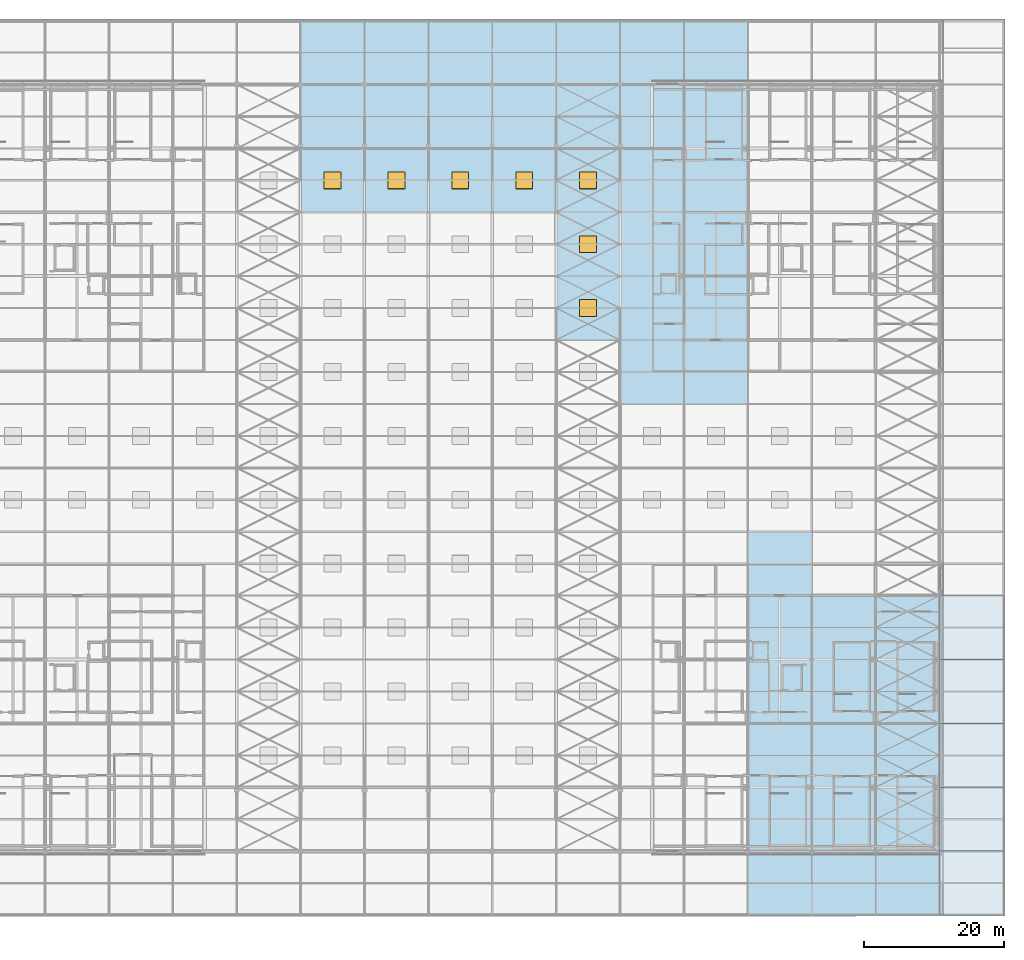
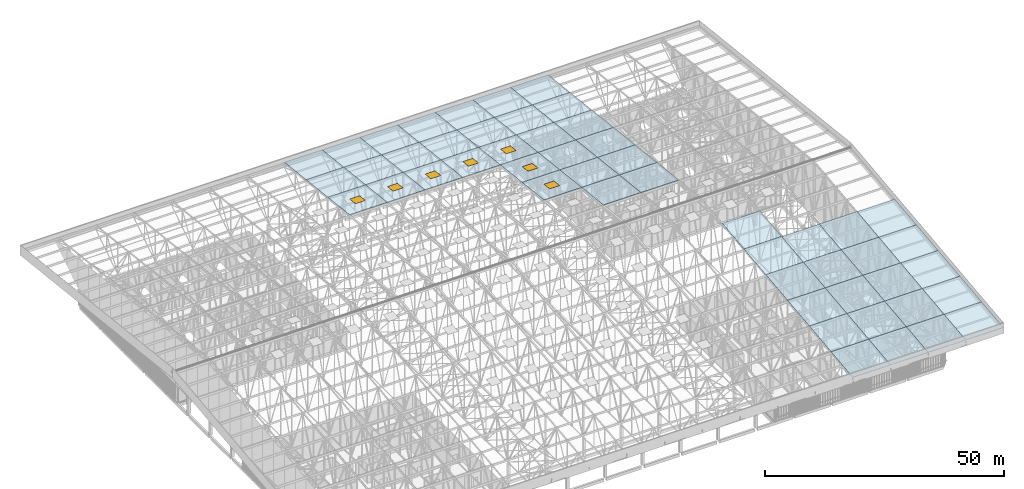
# One storey, part 422 of 500: 50 slabs, 7 windows, 7 openings.
"""IFC4 building model written with IfcOpenShell, lengths in metres."""

import ifcopenshell
import ifcopenshell.guid

model = None  # the IFC model being written
_history = None  # IfcOwnerHistory: only IFC2X3 demands one
_inside = {}  # id of a spatial element -> (the spatial element, [elements in it])
_under = {}  # id of a project, library or spatial element -> (it, [spatial elements below it])
_declared = {}  # id of a project -> (the project, [libraries it declares])
_typed = {}  # id of a type object -> (the type object, [elements of that type])
_made_of = {}  # id of a material, layer set ... -> (it, [elements and type objects made of it])


def new_model(schema):
    """Start an empty IFC model of exactly this schema.

    Asked for "IFC4X3", IfcOpenShell would pick the latest addendum, in which some entities
    have other attributes; the version numbers below select the first issue.
    IFC2X3 requires an IfcOwnerHistory on every rooted entity: one is made here for all.
    """
    global model, _history
    if schema == "IFC4X3":
        model = ifcopenshell.file(schema_version=(4, 3, 0, 0))
    else:
        model = ifcopenshell.file(schema=schema)
    _inside.clear()
    _under.clear()
    _declared.clear()
    _typed.clear()
    _made_of.clear()
    _history = None
    if model.schema == "IFC2X3":
        org = make("IfcOrganization", Name="unknown")
        user = make(
            "IfcPersonAndOrganization",
            ThePerson=make("IfcPerson", FamilyName="unknown"),
            TheOrganization=org,
        )
        app = make(
            "IfcApplication",
            ApplicationDeveloper=org,
            Version="unknown",
            ApplicationFullName="unknown",
            ApplicationIdentifier="unknown",
        )
        _history = make(
            "IfcOwnerHistory",
            OwningUser=user,
            OwningApplication=app,
            ChangeAction="ADDED",
            CreationDate=0,
        )
    return model


def make(cls, **values):
    """One entity of the class cls with the attributes given. An attribute that is None is left unset."""
    return model.create_entity(
        cls, **{name: value for name, value in values.items() if value is not None}
    )


def rooted(cls, **values):
    """An entity with a GlobalId (a new one), such as an element, a storey or a relation."""
    return make(cls, GlobalId=ifcopenshell.guid.new(), OwnerHistory=_history, **values)


def si_unit(unit_type, name, prefix=None):
    """IfcSIUnit, for example si_unit("LENGTHUNIT", "METRE", prefix="MILLI")."""
    return make("IfcSIUnit", UnitType=unit_type, Prefix=prefix, Name=name)


def assignment(units):
    """IfcUnitAssignment: the units of a project."""
    return None if units is None else make("IfcUnitAssignment", Units=units)


def point(xyz):
    """IfcCartesianPoint."""
    return None if xyz is None else make("IfcCartesianPoint", Coordinates=xyz)


def direction(xyz):
    """IfcDirection."""
    return None if xyz is None else make("IfcDirection", DirectionRatios=xyz)


def frame(location, z_axis=None, x_axis=None):
    """IfcAxis2Placement3D, a coordinate frame: its origin and axes. An axis left out is left unset."""
    return make(
        "IfcAxis2Placement3D",
        Location=point(location),
        Axis=direction(z_axis),
        RefDirection=direction(x_axis),
    )


def frame_2d(location, x_axis=None):
    """IfcAxis2Placement2D, a coordinate frame in the plane: its origin and x axis."""
    return make(
        "IfcAxis2Placement2D", Location=point(location), RefDirection=direction(x_axis)
    )


def origin():
    """The frame at (0, 0, 0) with its axes left unset."""
    return frame((0.0, 0.0, 0.0))


def origin_2d():
    """The frame at (0, 0) in the plane with its x axis left unset."""
    return frame_2d((0.0, 0.0))


def place(relative_to, where):
    """IfcLocalPlacement: puts the frame where relative to a parent placement (None: the world)."""
    return make(
        "IfcLocalPlacement", PlacementRelTo=relative_to, RelativePlacement=where
    )


def context(
    kind, dimensions, precision=None, world=None, true_north=None, identifier=None
):
    """IfcGeometricRepresentationContext, for example the 3D "Model" context."""
    return make(
        "IfcGeometricRepresentationContext",
        ContextIdentifier=identifier,
        ContextType=kind,
        CoordinateSpaceDimension=dimensions,
        Precision=precision,
        WorldCoordinateSystem=world,
        TrueNorth=true_north,
    )


def subcontext(parent, identifier, kind, view, scale=None):
    """IfcGeometricRepresentationSubContext, for example "Body" below "Model"."""
    return make(
        "IfcGeometricRepresentationSubContext",
        ContextIdentifier=identifier,
        ContextType=kind,
        ParentContext=parent,
        TargetScale=scale,
        TargetView=view,
    )


def project(units=None, contexts=None):
    """IfcProject with its units and contexts."""
    return rooted(
        "IfcProject",
        Name="project",
        RepresentationContexts=contexts,
        UnitsInContext=assignment(units),
    )


def spatial(cls, under=None, at=None, **own):
    """A site, building, storey or space (cls), placed at a placement, below another one or the project."""
    s = rooted(cls, ObjectPlacement=at, **own)
    if under is not None:
        _under.setdefault(under.id(), (under, []))[1].append(s)
    return s


def polyline(points):
    """IfcPolyline through the points."""
    return make("IfcPolyline", Points=[point(p) for p in points])


def profile(cls, at=None, kind="AREA", **sizes):
    """A parametric profile (cls). Its sizes go by their IFC names, for example OverallWidth=200.0."""
    return make(cls, ProfileType=kind, Position=at, **sizes)


def rectangle(**sizes):
    """IfcRectangleProfileDef."""
    return profile("IfcRectangleProfileDef", **sizes)


def outline(outer, holes=None, kind="AREA"):
    """IfcArbitraryClosedProfileDef: a profile drawn as a closed curve; with holes, ...WithVoids."""
    if holes is None:
        return make("IfcArbitraryClosedProfileDef", ProfileType=kind, OuterCurve=outer)
    return make(
        "IfcArbitraryProfileDefWithVoids",
        ProfileType=kind,
        OuterCurve=outer,
        InnerCurves=holes,
    )


def extrude(swept, where, along, depth):
    """IfcExtrudedAreaSolid: the profile swept, set in the frame where, extruded along a direction by depth."""
    return make(
        "IfcExtrudedAreaSolid",
        SweptArea=swept,
        Position=where,
        ExtrudedDirection=direction(along),
        Depth=depth,
    )


def shape(context_of_items, identifier, shape_type, items):
    """IfcShapeRepresentation: the items that make up one representation, for example the "Body"."""
    return make(
        "IfcShapeRepresentation",
        ContextOfItems=context_of_items,
        RepresentationIdentifier=identifier,
        RepresentationType=shape_type,
        Items=items,
    )


def material(Name=None, Category=None):
    """IfcMaterial."""
    return make("IfcMaterial", Name=Name, Category=Category)


def layer(
    of_material, thickness, ventilated=None, Name=None, Category=None, Priority=None
):
    """IfcMaterialLayer: one layer of a wall or slab, of a material (None: an air gap)."""
    return make(
        "IfcMaterialLayer",
        Material=of_material,
        LayerThickness=thickness,
        IsVentilated=ventilated,
        Name=Name,
        Category=Category,
        Priority=Priority,
    )


def layer_set(layers, Name=None):
    """IfcMaterialLayerSet."""
    return make("IfcMaterialLayerSet", MaterialLayers=layers, LayerSetName=Name)


def made_of(thing, what):
    """Note that an element or type object is made of a material, layer set ...; save() writes the relation."""
    if what is not None:
        _made_of.setdefault(what.id(), (what, []))[1].append(thing)
    return thing


def type_object(cls, material=None, **own):
    """A type object (cls), such as IfcWallType, which elements share."""
    return made_of(rooted(cls, **own), material)


def element(
    cls,
    number,
    at=None,
    inside=None,
    cuts=None,
    type_object=None,
    material=None,
    context=None,
    identifier="Body",
    shape_type=None,
    held_by="IfcProductDefinitionShape",
    body=None,
    shapes=None,
    **own,
):
    """One element of the class cls, such as IfcWall. Its Tag is "e" and its number.

    at: its placement. inside: the storey or other place that contains it. cuts: it is an
    opening in that element (IfcRelVoidsElement). A single representation is given by context,
    identifier, shape_type and body (its items); several are given by shapes. held_by: the class
    of the entity that holds the representations. save() writes the other relations.
    """
    e = rooted(cls, Tag="e%d" % number, ObjectPlacement=at, **own)
    if body is not None:
        shapes = [shape(context, identifier, shape_type, body)]
    if shapes is not None:
        e.Representation = make(held_by, Representations=shapes)
    if inside is not None:
        _inside.setdefault(inside.id(), (inside, []))[1].append(e)
    if cuts is not None:
        rooted(
            "IfcRelVoidsElement", RelatingBuildingElement=cuts, RelatedOpeningElement=e
        )
    if type_object is not None:
        _typed.setdefault(type_object.id(), (type_object, []))[1].append(e)
    return made_of(e, material)


def fill(opening, filler):
    """IfcRelFillsElement: the door or window that sits in an opening."""
    return rooted(
        "IfcRelFillsElement",
        RelatingOpeningElement=opening,
        RelatedBuildingElement=filler,
    )


def aggregate(whole, parts):
    """IfcRelAggregates: a whole, such as a stair, and the parts it consists of."""
    return rooted("IfcRelAggregates", RelatingObject=whole, RelatedObjects=parts)


def save(model, path):
    """Write the relations noted so far, then the file.

    IfcRelAggregates (storeys below a building ...), IfcRelContainedInSpatialStructure (elements
    in a storey), IfcRelDefinesByType, IfcRelAssociatesMaterial and IfcRelDeclares: one each for
    every whole, place, type object, material and project.
    """
    for whole, parts in _under.values():
        aggregate(whole, parts)
    for where, things in _inside.values():
        rooted(
            "IfcRelContainedInSpatialStructure",
            RelatedElements=things,
            RelatingStructure=where,
        )
    for kind, things in _typed.values():
        rooted("IfcRelDefinesByType", RelatedObjects=things, RelatingType=kind)
    for what, things in _made_of.values():
        rooted("IfcRelAssociatesMaterial", RelatedObjects=things, RelatingMaterial=what)
    for by, libraries in _declared.values():
        rooted("IfcRelDeclares", RelatingContext=by, RelatedDefinitions=libraries)
    model.write(path)


model = new_model("IFC4")

# Units and contexts
model_context = context("Model", 3, precision=1e-05, world=origin(), true_north=direction((0.0, 1.0)))
body_context = subcontext(model_context, "Body", "Model", "MODEL_VIEW")
ifc_project = project(units=[si_unit("LENGTHUNIT", "METRE"), si_unit("AREAUNIT", "SQUARE_METRE"), si_unit("VOLUMEUNIT", "CUBIC_METRE"), si_unit("PLANEANGLEUNIT", "RADIAN"), si_unit("MASSUNIT", "GRAM", prefix="KILO")], contexts=[model_context])

# Site, building, storey
site_placement = place(None, origin())
site = spatial("IfcSite", under=ifc_project, at=site_placement, CompositionType="ELEMENT")
building_placement = place(site_placement, origin())
building = spatial("IfcBuilding", under=site, at=building_placement, Name="Shirokan Park Arena", CompositionType="ELEMENT")
storey_placement = place(building_placement, frame((0.0, 0.0, 29.1201171875)))
storey = spatial("IfcBuildingStorey", under=building, at=storey_placement, Name="L06", CompositionType="ELEMENT", Elevation=29.1201171875)

# Slab, opening, window
ifc_material_1 = material(Name="Concrete C30 precast", Category="concrete")
ifc_layer = layer(ifc_material_1, 0.1201171875)
ifc_layer_set = layer_set([ifc_layer], Name="Concrete C30 precast 120 mm")
slab_type = type_object("IfcSlabType", Name="Roof deck panel 120", PredefinedType="ROOF", material=ifc_layer_set)
slab_1_placement = place(storey_placement, frame((54.60009765625, 91.0, 14.95068359375), z_axis=(0.0, 0.113549598152, 0.993532328996), x_axis=(1.0, 0.0, 0.0)))
slab_1 = element("IfcSlab", 1, at=slab_1_placement, inside=storey, type_object=slab_type, Name="Roof deck panel 8-12", PredefinedType="ROOF", context=body_context, shape_type="SweptSolid", body=[
    extrude(outline(polyline([(0.0, 0.0), (9.099853515625, 0.0), (9.099853515625, 9.15933723611117), (0.0, 9.15933723611117), (0.0, 0.0)]), holes=[polyline([(3.349853515625, 3.371898532319491), (5.75, 3.371898532319491), (5.75, 5.787438703791679), (3.349853515625, 5.787438703791679), (3.349853515625, 3.371898532319491)])]), origin(), (0.0, 0.0, -1.0), 0.1201171875),
])
opening_1_placement = place(slab_1_placement, frame((4.5498046875, 4.57958984375, 0.010009765625)))
opening_1 = element("IfcOpeningElement", 2, at=opening_1_placement, cuts=slab_1, Name="Opening RL1", PredefinedType="OPENING", context=body_context, shape_type="SweptSolid", body=[
    extrude(rectangle(XDim=2.39990234375, YDim=2.4155251658253154, at=origin_2d()), origin(), (0.0, 0.0, -1.0), 0.139892578125),
])
ifc_material_2 = material(Name="Aluminium frame with laminated glass", Category="aluminium")
window_type = type_object("IfcWindowType", Name="Roof light 2400x2400", PartitioningType="SINGLE_PANEL", PredefinedType="SKYLIGHT", material=ifc_material_2)
window_1_placement = place(opening_1_placement, frame((0.0, 0.0, -0.06005859375)))
window_1 = element("IfcWindow", 3, at=window_1_placement, inside=storey, type_object=window_type, Name="Roof light 08-12", OverallHeight=2.4155251658253154, OverallWidth=2.39990234375, PartitioningType="SINGLE_PANEL", PredefinedType="SKYLIGHT", context=body_context, shape_type="SweptSolid", body=[
    extrude(rectangle(XDim=2.39990234375, YDim=2.4155251658253154, at=origin_2d()), origin(), (0.0, 0.0, 1.0), 0.050048828125),
])
fill(opening_1, window_1)

# Slabs
slab_2_placement = place(storey_placement, frame((54.60009765625, 100.10009765625, 13.91064453125), z_axis=(0.0, 0.113552605302, 0.993531985308), x_axis=(1.0, 0.0, 0.0)))
element("IfcSlab", 4, at=slab_2_placement, inside=storey, type_object=slab_type, Name="Roof deck panel 8-13", PredefinedType="ROOF", context=body_context, shape_type="SweptSolid", body=[
    extrude(outline(polyline([(0.0, 0.0), (9.099853515625, 0.0), (9.099853515625, 9.159094674549365), (0.0, 9.159094674549365), (0.0, 0.0)])), origin(), (0.0, 0.0, -1.0), 0.1201171875),
])
slab_3_placement = place(storey_placement, frame((54.60009765625, 109.199951171875, 12.87060546875), z_axis=(0.0, 0.113549598152, 0.993532328996), x_axis=(1.0, 0.0, 0.0)))
element("IfcSlab", 5, at=slab_3_placement, inside=storey, type_object=slab_type, Name="Roof deck panel 8-14", PredefinedType="ROOF", context=body_context, shape_type="SweptSolid", body=[
    extrude(outline(polyline([(0.0, 0.0), (9.099853515625, 0.0), (9.099853515625, 9.15933723611117), (0.0, 9.15933723611117), (0.0, 0.0)])), origin(), (0.0, 0.0, -1.0), 0.1201171875),
])

# Slab, opening, window
slab_4_placement = place(storey_placement, frame((63.699951171875, 91.0, 14.95068359375), z_axis=(0.0, 0.113549598152, 0.993532328996), x_axis=(1.0, 0.0, 0.0)))
slab_4 = element("IfcSlab", 6, at=slab_4_placement, inside=storey, type_object=slab_type, Name="Roof deck panel 9-12", PredefinedType="ROOF", context=body_context, shape_type="SweptSolid", body=[
    extrude(outline(polyline([(0.0, 0.0), (9.10009765625, 0.0), (9.10009765625, 9.15933723611117), (0.0, 9.15933723611117), (0.0, 0.0)]), holes=[polyline([(3.35009765625, 3.3718985323194914), (5.75, 3.3718985323194914), (5.75, 5.78743870379168), (3.35009765625, 5.78743870379168), (3.35009765625, 3.3718985323194914)])]), origin(), (0.0, 0.0, -1.0), 0.1201171875),
])
opening_2_placement = place(slab_4_placement, frame((4.550048828125, 4.57958984375, 0.010009765625)))
opening_2 = element("IfcOpeningElement", 7, at=opening_2_placement, cuts=slab_4, Name="Opening RL1", PredefinedType="OPENING", context=body_context, shape_type="SweptSolid", body=[
    extrude(rectangle(XDim=2.39990234375, YDim=2.4155251658253154, at=origin_2d()), origin(), (0.0, 0.0, -1.0), 0.139892578125),
])
window_2_placement = place(opening_2_placement, frame((0.0, 0.0, -0.06005859375)))
window_2 = element("IfcWindow", 8, at=window_2_placement, inside=storey, type_object=window_type, Name="Roof light 09-12", OverallHeight=2.4155251658253154, OverallWidth=2.39990234375, PartitioningType="SINGLE_PANEL", PredefinedType="SKYLIGHT", context=body_context, shape_type="SweptSolid", body=[
    extrude(rectangle(XDim=2.39990234375, YDim=2.4155251658253154, at=origin_2d()), origin(), (0.0, 0.0, 1.0), 0.050048828125),
])
fill(opening_2, window_2)

# Slabs
slab_5_placement = place(storey_placement, frame((63.699951171875, 100.10009765625, 13.91064453125), z_axis=(0.0, 0.113552605302, 0.993531985308), x_axis=(1.0, 0.0, 0.0)))
element("IfcSlab", 9, at=slab_5_placement, inside=storey, type_object=slab_type, Name="Roof deck panel 9-13", PredefinedType="ROOF", context=body_context, shape_type="SweptSolid", body=[
    extrude(outline(polyline([(0.0, 0.0), (9.10009765625, 0.0), (9.10009765625, 9.159094674549367), (0.0, 9.159094674549367), (0.0, 0.0)])), origin(), (0.0, 0.0, -1.0), 0.1201171875),
])
slab_6_placement = place(storey_placement, frame((63.699951171875, 109.199951171875, 12.87060546875), z_axis=(0.0, 0.113549598152, 0.993532328996), x_axis=(1.0, 0.0, 0.0)))
element("IfcSlab", 10, at=slab_6_placement, inside=storey, type_object=slab_type, Name="Roof deck panel 9-14", PredefinedType="ROOF", context=body_context, shape_type="SweptSolid", body=[
    extrude(outline(polyline([(0.0, 0.0), (9.10009765625, 0.0), (9.10009765625, 9.15933723611117), (0.0, 9.15933723611117), (0.0, 0.0)])), origin(), (0.0, 0.0, -1.0), 0.1201171875),
])

# Slab, opening, window
slab_7_placement = place(storey_placement, frame((72.800048828125, 91.0, 14.95068359375), z_axis=(0.0, 0.113549598152, 0.993532328996), x_axis=(1.0, 0.0, 0.0)))
slab_7 = element("IfcSlab", 11, at=slab_7_placement, inside=storey, type_object=slab_type, Name="Roof deck panel 10-12", PredefinedType="ROOF", context=body_context, shape_type="SweptSolid", body=[
    extrude(outline(polyline([(0.0, 0.0), (9.099853515625, 0.0), (9.099853515625, 9.15933723611117), (0.0, 9.15933723611117), (0.0, 0.0)]), holes=[polyline([(3.349853515625, 3.371898532319491), (5.75, 3.371898532319491), (5.75, 5.787438703791679), (3.349853515625, 5.787438703791679), (3.349853515625, 3.371898532319491)])]), origin(), (0.0, 0.0, -1.0), 0.1201171875),
])
opening_3_placement = place(slab_7_placement, frame((4.550048828125, 4.57958984375, 0.010009765625)))
opening_3 = element("IfcOpeningElement", 12, at=opening_3_placement, cuts=slab_7, Name="Opening RL1", PredefinedType="OPENING", context=body_context, shape_type="SweptSolid", body=[
    extrude(rectangle(XDim=2.39990234375, YDim=2.4155251658253154, at=origin_2d()), origin(), (0.0, 0.0, -1.0), 0.139892578125),
])
window_3_placement = place(opening_3_placement, frame((0.0, 0.0, -0.06005859375)))
window_3 = element("IfcWindow", 13, at=window_3_placement, inside=storey, type_object=window_type, Name="Roof light 10-12", OverallHeight=2.4155251658253154, OverallWidth=2.39990234375, PartitioningType="SINGLE_PANEL", PredefinedType="SKYLIGHT", context=body_context, shape_type="SweptSolid", body=[
    extrude(rectangle(XDim=2.39990234375, YDim=2.4155251658253154, at=origin_2d()), origin(), (0.0, 0.0, 1.0), 0.050048828125),
])
fill(opening_3, window_3)

# Slabs
slab_8_placement = place(storey_placement, frame((72.800048828125, 100.10009765625, 13.91064453125), z_axis=(0.0, 0.113552605302, 0.993531985308), x_axis=(1.0, 0.0, 0.0)))
element("IfcSlab", 14, at=slab_8_placement, inside=storey, type_object=slab_type, Name="Roof deck panel 10-13", PredefinedType="ROOF", context=body_context, shape_type="SweptSolid", body=[
    extrude(outline(polyline([(0.0, 0.0), (9.099853515625, 0.0), (9.099853515625, 9.159094674549365), (0.0, 9.159094674549365), (0.0, 0.0)])), origin(), (0.0, 0.0, -1.0), 0.1201171875),
])
slab_9_placement = place(storey_placement, frame((72.800048828125, 109.199951171875, 12.87060546875), z_axis=(0.0, 0.113549598152, 0.993532328996), x_axis=(1.0, 0.0, 0.0)))
element("IfcSlab", 15, at=slab_9_placement, inside=storey, type_object=slab_type, Name="Roof deck panel 10-14", PredefinedType="ROOF", context=body_context, shape_type="SweptSolid", body=[
    extrude(outline(polyline([(0.0, 0.0), (9.099853515625, 0.0), (9.099853515625, 9.15933723611117), (0.0, 9.15933723611117), (0.0, 0.0)])), origin(), (0.0, 0.0, -1.0), 0.1201171875),
])

# Slab, opening, window
slab_10_placement = place(storey_placement, frame((81.89990234375, 91.0, 14.95068359375), z_axis=(0.0, 0.113549598152, 0.993532328996), x_axis=(1.0, 0.0, 0.0)))
slab_10 = element("IfcSlab", 16, at=slab_10_placement, inside=storey, type_object=slab_type, Name="Roof deck panel 11-12", PredefinedType="ROOF", context=body_context, shape_type="SweptSolid", body=[
    extrude(outline(polyline([(0.0, 0.0), (9.10009765625, 0.0), (9.10009765625, 9.15933723611117), (0.0, 9.15933723611117), (0.0, 0.0)]), holes=[polyline([(3.35009765625, 3.3718985323194914), (5.75, 3.3718985323194914), (5.75, 5.78743870379168), (3.35009765625, 5.78743870379168), (3.35009765625, 3.3718985323194914)])]), origin(), (0.0, 0.0, -1.0), 0.1201171875),
])
opening_4_placement = place(slab_10_placement, frame((4.550048828125, 4.57958984375, 0.010009765625)))
opening_4 = element("IfcOpeningElement", 17, at=opening_4_placement, cuts=slab_10, Name="Opening RL1", PredefinedType="OPENING", context=body_context, shape_type="SweptSolid", body=[
    extrude(rectangle(XDim=2.39990234375, YDim=2.4155251658253154, at=origin_2d()), origin(), (0.0, 0.0, -1.0), 0.139892578125),
])
window_4_placement = place(opening_4_placement, frame((0.0, 0.0, -0.06005859375)))
window_4 = element("IfcWindow", 18, at=window_4_placement, inside=storey, type_object=window_type, Name="Roof light 11-12", OverallHeight=2.4155251658253154, OverallWidth=2.39990234375, PartitioningType="SINGLE_PANEL", PredefinedType="SKYLIGHT", context=body_context, shape_type="SweptSolid", body=[
    extrude(rectangle(XDim=2.39990234375, YDim=2.4155251658253154, at=origin_2d()), origin(), (0.0, 0.0, 1.0), 0.050048828125),
])
fill(opening_4, window_4)

# Slabs
slab_11_placement = place(storey_placement, frame((81.89990234375, 100.10009765625, 13.91064453125), z_axis=(0.0, 0.113552605302, 0.993531985308), x_axis=(1.0, 0.0, 0.0)))
element("IfcSlab", 19, at=slab_11_placement, inside=storey, type_object=slab_type, Name="Roof deck panel 11-13", PredefinedType="ROOF", context=body_context, shape_type="SweptSolid", body=[
    extrude(outline(polyline([(0.0, 0.0), (9.10009765625, 0.0), (9.10009765625, 9.159094674549367), (0.0, 9.159094674549367), (0.0, 0.0)])), origin(), (0.0, 0.0, -1.0), 0.1201171875),
])
slab_12_placement = place(storey_placement, frame((81.89990234375, 109.199951171875, 12.87060546875), z_axis=(0.0, 0.113549598152, 0.993532328996), x_axis=(1.0, 0.0, 0.0)))
element("IfcSlab", 20, at=slab_12_placement, inside=storey, type_object=slab_type, Name="Roof deck panel 11-14", PredefinedType="ROOF", context=body_context, shape_type="SweptSolid", body=[
    extrude(outline(polyline([(0.0, 0.0), (9.10009765625, 0.0), (9.10009765625, 9.15933723611117), (0.0, 9.15933723611117), (0.0, 0.0)])), origin(), (0.0, 0.0, -1.0), 0.1201171875),
])

# Slab, opening, window
slab_13_placement = place(storey_placement, frame((91.0, 72.800048828125, 17.03076171875), z_axis=(0.0, 0.113552605302, 0.993531985308), x_axis=(1.0, 0.0, 0.0)))
slab_13 = element("IfcSlab", 21, at=slab_13_placement, inside=storey, type_object=slab_type, Name="Roof deck panel 12-10", PredefinedType="ROOF", context=body_context, shape_type="SweptSolid", body=[
    extrude(outline(polyline([(0.0, 0.0), (9.10009765625, 0.0), (9.10009765625, 9.159094674549367), (0.0, 9.159094674549367), (0.0, 0.0)]), holes=[polyline([(3.35009765625, 3.3716836933895262), (5.75, 3.3716836933895262), (5.75, 5.787438703963868), (3.35009765625, 5.787438703963868), (3.35009765625, 3.3716836933895262)])]), origin(), (0.0, 0.0, -1.0), 0.1201171875),
])
opening_5_placement = place(slab_13_placement, frame((4.550048828125, 4.57958984375, 0.010009765625)))
opening_5 = element("IfcOpeningElement", 22, at=opening_5_placement, cuts=slab_13, Name="Opening RL1", PredefinedType="OPENING", context=body_context, shape_type="SweptSolid", body=[
    extrude(rectangle(XDim=2.39990234375, YDim=2.4155260014171187, at=origin_2d()), origin(), (0.0, 0.0, -1.0), 0.139892578125),
])
window_5_placement = place(opening_5_placement, frame((0.0, 0.0, -0.06005859375)))
window_5 = element("IfcWindow", 23, at=window_5_placement, inside=storey, type_object=window_type, Name="Roof light 12-10", OverallHeight=2.4155260014171187, OverallWidth=2.39990234375, PartitioningType="SINGLE_PANEL", PredefinedType="SKYLIGHT", context=body_context, shape_type="SweptSolid", body=[
    extrude(rectangle(XDim=2.39990234375, YDim=2.4155260014171187, at=origin_2d()), origin(), (0.0, 0.0, 1.0), 0.050048828125),
])
fill(opening_5, window_5)

slab_14_placement = place(storey_placement, frame((91.0, 81.89990234375, 15.99072265625), z_axis=(0.0, 0.113549598152, 0.993532328996), x_axis=(1.0, 0.0, 0.0)))
slab_14 = element("IfcSlab", 24, at=slab_14_placement, inside=storey, type_object=slab_type, Name="Roof deck panel 12-11", PredefinedType="ROOF", context=body_context, shape_type="SweptSolid", body=[
    extrude(outline(polyline([(0.0, 0.0), (9.10009765625, 0.0), (9.10009765625, 9.15933723611117), (0.0, 9.15933723611117), (0.0, 0.0)]), holes=[polyline([(3.35009765625, 3.3718985323194914), (5.75, 3.3718985323194914), (5.75, 5.78743870379168), (3.35009765625, 5.78743870379168), (3.35009765625, 3.3718985323194914)])]), origin(), (0.0, 0.0, -1.0), 0.1201171875),
])
opening_6_placement = place(slab_14_placement, frame((4.550048828125, 4.57958984375, 0.010009765625)))
opening_6 = element("IfcOpeningElement", 25, at=opening_6_placement, cuts=slab_14, Name="Opening RL1", PredefinedType="OPENING", context=body_context, shape_type="SweptSolid", body=[
    extrude(rectangle(XDim=2.39990234375, YDim=2.4155251658253154, at=origin_2d()), origin(), (0.0, 0.0, -1.0), 0.139892578125),
])
window_6_placement = place(opening_6_placement, frame((0.0, 0.0, -0.06005859375)))
window_6 = element("IfcWindow", 26, at=window_6_placement, inside=storey, type_object=window_type, Name="Roof light 12-11", OverallHeight=2.4155251658253154, OverallWidth=2.39990234375, PartitioningType="SINGLE_PANEL", PredefinedType="SKYLIGHT", context=body_context, shape_type="SweptSolid", body=[
    extrude(rectangle(XDim=2.39990234375, YDim=2.4155251658253154, at=origin_2d()), origin(), (0.0, 0.0, 1.0), 0.050048828125),
])
fill(opening_6, window_6)

slab_15_placement = place(storey_placement, frame((91.0, 91.0, 14.95068359375), z_axis=(0.0, 0.113549598152, 0.993532328996), x_axis=(1.0, 0.0, 0.0)))
slab_15 = element("IfcSlab", 27, at=slab_15_placement, inside=storey, type_object=slab_type, Name="Roof deck panel 12-12", PredefinedType="ROOF", context=body_context, shape_type="SweptSolid", body=[
    extrude(outline(polyline([(0.0, 0.0), (9.10009765625, 0.0), (9.10009765625, 9.15933723611117), (0.0, 9.15933723611117), (0.0, 0.0)]), holes=[polyline([(3.35009765625, 3.3718985323194914), (5.75, 3.3718985323194914), (5.75, 5.78743870379168), (3.35009765625, 5.78743870379168), (3.35009765625, 3.3718985323194914)])]), origin(), (0.0, 0.0, -1.0), 0.1201171875),
])
opening_7_placement = place(slab_15_placement, frame((4.550048828125, 4.57958984375, 0.010009765625)))
opening_7 = element("IfcOpeningElement", 28, at=opening_7_placement, cuts=slab_15, Name="Opening RL1", PredefinedType="OPENING", context=body_context, shape_type="SweptSolid", body=[
    extrude(rectangle(XDim=2.39990234375, YDim=2.4155251658253154, at=origin_2d()), origin(), (0.0, 0.0, -1.0), 0.139892578125),
])
window_7_placement = place(opening_7_placement, frame((0.0, 0.0, -0.06005859375)))
window_7 = element("IfcWindow", 29, at=window_7_placement, inside=storey, type_object=window_type, Name="Roof light 12-12", OverallHeight=2.4155251658253154, OverallWidth=2.39990234375, PartitioningType="SINGLE_PANEL", PredefinedType="SKYLIGHT", context=body_context, shape_type="SweptSolid", body=[
    extrude(rectangle(XDim=2.39990234375, YDim=2.4155251658253154, at=origin_2d()), origin(), (0.0, 0.0, 1.0), 0.050048828125),
])
fill(opening_7, window_7)

# Slabs
slab_16_placement = place(storey_placement, frame((91.0, 100.10009765625, 13.91064453125), z_axis=(0.0, 0.113552605302, 0.993531985308), x_axis=(1.0, 0.0, 0.0)))
element("IfcSlab", 30, at=slab_16_placement, inside=storey, type_object=slab_type, Name="Roof deck panel 12-13", PredefinedType="ROOF", context=body_context, shape_type="SweptSolid", body=[
    extrude(outline(polyline([(0.0, 0.0), (9.10009765625, 0.0), (9.10009765625, 9.159094674549367), (0.0, 9.159094674549367), (0.0, 0.0)])), origin(), (0.0, 0.0, -1.0), 0.1201171875),
])
slab_17_placement = place(storey_placement, frame((91.0, 109.199951171875, 12.87060546875), z_axis=(0.0, 0.113549598152, 0.993532328996), x_axis=(1.0, 0.0, 0.0)))
element("IfcSlab", 31, at=slab_17_placement, inside=storey, type_object=slab_type, Name="Roof deck panel 12-14", PredefinedType="ROOF", context=body_context, shape_type="SweptSolid", body=[
    extrude(outline(polyline([(0.0, 0.0), (9.10009765625, 0.0), (9.10009765625, 9.15933723611117), (0.0, 9.15933723611117), (0.0, 0.0)])), origin(), (0.0, 0.0, -1.0), 0.1201171875),
])
slab_18_placement = place(storey_placement, frame((100.10009765625, 63.699951171875, 18.070556640625), z_axis=(0.0, 0.113523286872, 0.993535335727), x_axis=(1.0, 0.0, 0.0)))
element("IfcSlab", 32, at=slab_18_placement, inside=storey, type_object=slab_type, Name="Roof deck panel 13-9", PredefinedType="ROOF", context=body_context, shape_type="SweptSolid", body=[
    extrude(outline(polyline([(0.0, 0.0), (9.099853515625, 0.0), (9.099853515625, 9.159309517253131), (0.0, 9.159309517253131), (0.0, 0.0)])), origin(), (0.0, 0.0, -1.0), 0.1201171875),
])
slab_19_placement = place(storey_placement, frame((100.10009765625, 72.800048828125, 17.03076171875), z_axis=(0.0, 0.113552605302, 0.993531985308), x_axis=(1.0, 0.0, 0.0)))
element("IfcSlab", 33, at=slab_19_placement, inside=storey, type_object=slab_type, Name="Roof deck panel 13-10", PredefinedType="ROOF", context=body_context, shape_type="SweptSolid", body=[
    extrude(outline(polyline([(0.0, 0.0), (9.099853515625, 0.0), (9.099853515625, 9.159094674549365), (0.0, 9.159094674549365), (0.0, 0.0)])), origin(), (0.0, 0.0, -1.0), 0.1201171875),
])
for number, where, z_axis, x_axis, name in (
    (34, (100.10009765625, 81.89990234375, 15.99072265625), (0.0, 0.113549598152, 0.993532328996), (1.0, 0.0, 0.0), "Roof deck panel 13-11"),
    (35, (100.10009765625, 91.0, 14.95068359375), (0.0, 0.113549598152, 0.993532328996), (1.0, 0.0, 0.0), "Roof deck panel 13-12"),
):
    element("IfcSlab", number, at=place(storey_placement, frame(where, z_axis=z_axis, x_axis=x_axis)), inside=storey, type_object=slab_type, Name=name, PredefinedType="ROOF", context=body_context, shape_type="SweptSolid", body=[
        extrude(outline(polyline([(0.0, 0.0), (9.099853515625, 0.0), (9.099853515625, 9.15933723611117), (0.0, 9.15933723611117), (0.0, 0.0)])), origin(), (0.0, 0.0, -1.0), 0.1201171875),
    ])
slab_20_placement = place(storey_placement, frame((100.10009765625, 100.10009765625, 13.91064453125), z_axis=(0.0, 0.113552605302, 0.993531985308), x_axis=(1.0, 0.0, 0.0)))
element("IfcSlab", 36, at=slab_20_placement, inside=storey, type_object=slab_type, Name="Roof deck panel 13-13", PredefinedType="ROOF", context=body_context, shape_type="SweptSolid", body=[
    extrude(outline(polyline([(0.0, 0.0), (9.099853515625, 0.0), (9.099853515625, 9.159094674549365), (0.0, 9.159094674549365), (0.0, 0.0)])), origin(), (0.0, 0.0, -1.0), 0.1201171875),
])
slab_21_placement = place(storey_placement, frame((100.10009765625, 109.199951171875, 12.87060546875), z_axis=(0.0, 0.113549598152, 0.993532328996), x_axis=(1.0, 0.0, 0.0)))
element("IfcSlab", 37, at=slab_21_placement, inside=storey, type_object=slab_type, Name="Roof deck panel 13-14", PredefinedType="ROOF", context=body_context, shape_type="SweptSolid", body=[
    extrude(outline(polyline([(0.0, 0.0), (9.099853515625, 0.0), (9.099853515625, 9.15933723611117), (0.0, 9.15933723611117), (0.0, 0.0)])), origin(), (0.0, 0.0, -1.0), 0.1201171875),
])
slab_22_placement = place(storey_placement, frame((109.199951171875, 63.699951171875, 18.070556640625), z_axis=(0.0, 0.113523286872, 0.993535335727), x_axis=(1.0, 0.0, 0.0)))
element("IfcSlab", 38, at=slab_22_placement, inside=storey, type_object=slab_type, Name="Roof deck panel 14-9", PredefinedType="ROOF", context=body_context, shape_type="SweptSolid", body=[
    extrude(outline(polyline([(0.0, 0.0), (9.10009765625, 0.0), (9.10009765625, 9.159309517253131), (0.0, 9.159309517253131), (0.0, 0.0)])), origin(), (0.0, 0.0, -1.0), 0.1201171875),
])
slab_23_placement = place(storey_placement, frame((109.199951171875, 72.800048828125, 17.03076171875), z_axis=(0.0, 0.113552605302, 0.993531985308), x_axis=(1.0, 0.0, 0.0)))
element("IfcSlab", 39, at=slab_23_placement, inside=storey, type_object=slab_type, Name="Roof deck panel 14-10", PredefinedType="ROOF", context=body_context, shape_type="SweptSolid", body=[
    extrude(outline(polyline([(0.0, 0.0), (9.10009765625, 0.0), (9.10009765625, 9.159094674549367), (0.0, 9.159094674549367), (0.0, 0.0)])), origin(), (0.0, 0.0, -1.0), 0.1201171875),
])
for number, where, z_axis, x_axis, name in (
    (40, (109.199951171875, 81.89990234375, 15.99072265625), (0.0, 0.113549598152, 0.993532328996), (1.0, 0.0, 0.0), "Roof deck panel 14-11"),
    (41, (109.199951171875, 91.0, 14.95068359375), (0.0, 0.113549598152, 0.993532328996), (1.0, 0.0, 0.0), "Roof deck panel 14-12"),
):
    element("IfcSlab", number, at=place(storey_placement, frame(where, z_axis=z_axis, x_axis=x_axis)), inside=storey, type_object=slab_type, Name=name, PredefinedType="ROOF", context=body_context, shape_type="SweptSolid", body=[
        extrude(outline(polyline([(0.0, 0.0), (9.10009765625, 0.0), (9.10009765625, 9.15933723611117), (0.0, 9.15933723611117), (0.0, 0.0)])), origin(), (0.0, 0.0, -1.0), 0.1201171875),
    ])
slab_24_placement = place(storey_placement, frame((109.199951171875, 100.10009765625, 13.91064453125), z_axis=(0.0, 0.113552605302, 0.993531985308), x_axis=(1.0, 0.0, 0.0)))
element("IfcSlab", 42, at=slab_24_placement, inside=storey, type_object=slab_type, Name="Roof deck panel 14-13", PredefinedType="ROOF", context=body_context, shape_type="SweptSolid", body=[
    extrude(outline(polyline([(0.0, 0.0), (9.10009765625, 0.0), (9.10009765625, 9.159094674549367), (0.0, 9.159094674549367), (0.0, 0.0)])), origin(), (0.0, 0.0, -1.0), 0.1201171875),
])
slab_25_placement = place(storey_placement, frame((109.199951171875, 109.199951171875, 12.87060546875), z_axis=(0.0, 0.113549598152, 0.993532328996), x_axis=(1.0, 0.0, 0.0)))
element("IfcSlab", 43, at=slab_25_placement, inside=storey, type_object=slab_type, Name="Roof deck panel 14-14", PredefinedType="ROOF", context=body_context, shape_type="SweptSolid", body=[
    extrude(outline(polyline([(0.0, 0.0), (9.10009765625, 0.0), (9.10009765625, 9.15933723611117), (0.0, 9.15933723611117), (0.0, 0.0)])), origin(), (0.0, 0.0, -1.0), 0.1201171875),
])
for number, where, z_axis, x_axis, name in (
    (44, (118.300048828125, -9.10009765625, 11.83056640625), (0.0, -0.113549598152, 0.993532328996), (1.0, 0.0, 0.0), "Roof deck panel 15-1"),
    (45, (118.300048828125, 0.0, 12.87060546875), (0.0, -0.113549598152, 0.993532328996), (1.0, 0.0, 0.0), "Roof deck panel 15-2"),
):
    element("IfcSlab", number, at=place(storey_placement, frame(where, z_axis=z_axis, x_axis=x_axis)), inside=storey, type_object=slab_type, Name=name, PredefinedType="ROOF", context=body_context, shape_type="SweptSolid", body=[
        extrude(outline(polyline([(0.0, 0.0), (9.099853515625, 0.0), (9.099853515625, 9.15933723611117), (0.0, 9.15933723611117), (0.0, 0.0)])), origin(), (0.0, 0.0, -1.0), 0.1201171875),
    ])
slab_26_placement = place(storey_placement, frame((118.300048828125, 9.10009765625, 13.91064453125), z_axis=(0.0, -0.113552605302, 0.993531985308), x_axis=(1.0, 0.0, 0.0)))
element("IfcSlab", 46, at=slab_26_placement, inside=storey, type_object=slab_type, Name="Roof deck panel 15-3", PredefinedType="ROOF", context=body_context, shape_type="SweptSolid", body=[
    extrude(outline(polyline([(0.0, 0.0), (9.099853515625, 0.0), (9.099853515625, 9.159094674549365), (0.0, 9.159094674549365), (0.0, 0.0)])), origin(), (0.0, 0.0, -1.0), 0.1201171875),
])
slab_27_placement = place(storey_placement, frame((118.300048828125, 18.199951171875, 14.95068359375), z_axis=(0.0, -0.113549598152, 0.993532328996), x_axis=(1.0, 0.0, 0.0)))
element("IfcSlab", 47, at=slab_27_placement, inside=storey, type_object=slab_type, Name="Roof deck panel 15-4", PredefinedType="ROOF", context=body_context, shape_type="SweptSolid", body=[
    extrude(outline(polyline([(0.0, 0.0), (9.099853515625, 0.0), (9.099853515625, 9.15933723611117), (0.0, 9.15933723611117), (0.0, 0.0)])), origin(), (0.0, 0.0, -1.0), 0.1201171875),
])
slab_28_placement = place(storey_placement, frame((118.300048828125, 27.300048828125, 15.99072265625), z_axis=(0.0, -0.113552605302, 0.993531985308), x_axis=(1.0, 0.0, 0.0)))
element("IfcSlab", 48, at=slab_28_placement, inside=storey, type_object=slab_type, Name="Roof deck panel 15-5", PredefinedType="ROOF", context=body_context, shape_type="SweptSolid", body=[
    extrude(outline(polyline([(0.0, 0.0), (9.099853515625, 0.0), (9.099853515625, 9.159094674549365), (0.0, 9.159094674549365), (0.0, 0.0)])), origin(), (0.0, 0.0, -1.0), 0.1201171875),
])
slab_29_placement = place(storey_placement, frame((118.300048828125, 36.39990234375, 17.03076171875), z_axis=(0.0, -0.113523286872, 0.993535335727), x_axis=(1.0, 0.0, 0.0)))
element("IfcSlab", 49, at=slab_29_placement, inside=storey, type_object=slab_type, Name="Roof deck panel 15-6", PredefinedType="ROOF", context=body_context, shape_type="SweptSolid", body=[
    extrude(outline(polyline([(0.0, 0.0), (9.099853515625, 0.0), (9.099853515625, 9.159309517253131), (0.0, 9.159309517253131), (0.0, 0.0)])), origin(), (0.0, 0.0, -1.0), 0.1201171875),
])
for number, where, z_axis, x_axis, name in (
    (50, (127.39990234375, -9.10009765625, 11.83056640625), (0.0, -0.113549598152, 0.993532328996), (1.0, 0.0, 0.0), "Roof deck panel 16-1"),
    (51, (127.39990234375, 0.0, 12.87060546875), (0.0, -0.113549598152, 0.993532328996), (1.0, 0.0, 0.0), "Roof deck panel 16-2"),
):
    element("IfcSlab", number, at=place(storey_placement, frame(where, z_axis=z_axis, x_axis=x_axis)), inside=storey, type_object=slab_type, Name=name, PredefinedType="ROOF", context=body_context, shape_type="SweptSolid", body=[
        extrude(outline(polyline([(0.0, 0.0), (9.10009765625, 0.0), (9.10009765625, 9.15933723611117), (0.0, 9.15933723611117), (0.0, 0.0)])), origin(), (0.0, 0.0, -1.0), 0.1201171875),
    ])
slab_30_placement = place(storey_placement, frame((127.39990234375, 9.10009765625, 13.91064453125), z_axis=(0.0, -0.113552605302, 0.993531985308), x_axis=(1.0, 0.0, 0.0)))
element("IfcSlab", 52, at=slab_30_placement, inside=storey, type_object=slab_type, Name="Roof deck panel 16-3", PredefinedType="ROOF", context=body_context, shape_type="SweptSolid", body=[
    extrude(outline(polyline([(0.0, 0.0), (9.10009765625, 0.0), (9.10009765625, 9.159094674549367), (0.0, 9.159094674549367), (0.0, 0.0)])), origin(), (0.0, 0.0, -1.0), 0.1201171875),
])
slab_31_placement = place(storey_placement, frame((127.39990234375, 18.199951171875, 14.95068359375), z_axis=(0.0, -0.113549598152, 0.993532328996), x_axis=(1.0, 0.0, 0.0)))
element("IfcSlab", 53, at=slab_31_placement, inside=storey, type_object=slab_type, Name="Roof deck panel 16-4", PredefinedType="ROOF", context=body_context, shape_type="SweptSolid", body=[
    extrude(outline(polyline([(0.0, 0.0), (9.10009765625, 0.0), (9.10009765625, 9.15933723611117), (0.0, 9.15933723611117), (0.0, 0.0)])), origin(), (0.0, 0.0, -1.0), 0.1201171875),
])
slab_32_placement = place(storey_placement, frame((127.39990234375, 27.300048828125, 15.99072265625), z_axis=(0.0, -0.113552605302, 0.993531985308), x_axis=(1.0, 0.0, 0.0)))
element("IfcSlab", 54, at=slab_32_placement, inside=storey, type_object=slab_type, Name="Roof deck panel 16-5", PredefinedType="ROOF", context=body_context, shape_type="SweptSolid", body=[
    extrude(outline(polyline([(0.0, 0.0), (9.10009765625, 0.0), (9.10009765625, 9.159094674549367), (0.0, 9.159094674549367), (0.0, 0.0)])), origin(), (0.0, 0.0, -1.0), 0.1201171875),
])
for number, where, z_axis, x_axis, name in (
    (55, (136.5, -9.10009765625, 11.83056640625), (0.0, -0.113549598152, 0.993532328996), (1.0, 0.0, 0.0), "Roof deck panel 17-1"),
    (56, (136.5, 0.0, 12.87060546875), (0.0, -0.113549598152, 0.993532328996), (1.0, 0.0, 0.0), "Roof deck panel 17-2"),
):
    element("IfcSlab", number, at=place(storey_placement, frame(where, z_axis=z_axis, x_axis=x_axis)), inside=storey, type_object=slab_type, Name=name, PredefinedType="ROOF", context=body_context, shape_type="SweptSolid", body=[
        extrude(outline(polyline([(0.0, 0.0), (9.10009765625, 0.0), (9.10009765625, 9.15933723611117), (0.0, 9.15933723611117), (0.0, 0.0)])), origin(), (0.0, 0.0, -1.0), 0.1201171875),
    ])
slab_33_placement = place(storey_placement, frame((136.5, 9.10009765625, 13.91064453125), z_axis=(0.0, -0.113552605302, 0.993531985308), x_axis=(1.0, 0.0, 0.0)))
element("IfcSlab", 57, at=slab_33_placement, inside=storey, type_object=slab_type, Name="Roof deck panel 17-3", PredefinedType="ROOF", context=body_context, shape_type="SweptSolid", body=[
    extrude(outline(polyline([(0.0, 0.0), (9.10009765625, 0.0), (9.10009765625, 9.159094674549367), (0.0, 9.159094674549367), (0.0, 0.0)])), origin(), (0.0, 0.0, -1.0), 0.1201171875),
])
slab_34_placement = place(storey_placement, frame((136.5, 18.199951171875, 14.95068359375), z_axis=(0.0, -0.113549598152, 0.993532328996), x_axis=(1.0, 0.0, 0.0)))
element("IfcSlab", 58, at=slab_34_placement, inside=storey, type_object=slab_type, Name="Roof deck panel 17-4", PredefinedType="ROOF", context=body_context, shape_type="SweptSolid", body=[
    extrude(outline(polyline([(0.0, 0.0), (9.10009765625, 0.0), (9.10009765625, 9.15933723611117), (0.0, 9.15933723611117), (0.0, 0.0)])), origin(), (0.0, 0.0, -1.0), 0.1201171875),
])
slab_35_placement = place(storey_placement, frame((136.5, 27.300048828125, 15.99072265625), z_axis=(0.0, -0.113552605302, 0.993531985308), x_axis=(1.0, 0.0, 0.0)))
element("IfcSlab", 59, at=slab_35_placement, inside=storey, type_object=slab_type, Name="Roof deck panel 17-5", PredefinedType="ROOF", context=body_context, shape_type="SweptSolid", body=[
    extrude(outline(polyline([(0.0, 0.0), (9.10009765625, 0.0), (9.10009765625, 9.159094674549367), (0.0, 9.159094674549367), (0.0, 0.0)])), origin(), (0.0, 0.0, -1.0), 0.1201171875),
])
for number, where, z_axis, x_axis, name in (
    (60, (145.60009765625, -9.10009765625, 11.83056640625), (0.0, -0.113549598152, 0.993532328996), (1.0, 0.0, 0.0), "Roof deck panel 18-1"),
    (61, (145.60009765625, 0.0, 12.87060546875), (0.0, -0.113549598152, 0.993532328996), (1.0, 0.0, 0.0), "Roof deck panel 18-2"),
):
    element("IfcSlab", number, at=place(storey_placement, frame(where, z_axis=z_axis, x_axis=x_axis)), inside=storey, type_object=slab_type, Name=name, PredefinedType="ROOF", context=body_context, shape_type="SweptSolid", body=[
        extrude(outline(polyline([(0.0, 0.0), (9.099853515625, 0.0), (9.099853515625, 9.15933723611117), (0.0, 9.15933723611117), (0.0, 0.0)])), origin(), (0.0, 0.0, -1.0), 0.1201171875),
    ])
slab_36_placement = place(storey_placement, frame((145.60009765625, 9.10009765625, 13.91064453125), z_axis=(0.0, -0.113552605302, 0.993531985308), x_axis=(1.0, 0.0, 0.0)))
element("IfcSlab", 62, at=slab_36_placement, inside=storey, type_object=slab_type, Name="Roof deck panel 18-3", PredefinedType="ROOF", context=body_context, shape_type="SweptSolid", body=[
    extrude(outline(polyline([(0.0, 0.0), (9.099853515625, 0.0), (9.099853515625, 9.159094674549365), (0.0, 9.159094674549365), (0.0, 0.0)])), origin(), (0.0, 0.0, -1.0), 0.1201171875),
])
slab_37_placement = place(storey_placement, frame((145.60009765625, 18.199951171875, 14.95068359375), z_axis=(0.0, -0.113549598152, 0.993532328996), x_axis=(1.0, 0.0, 0.0)))
element("IfcSlab", 63, at=slab_37_placement, inside=storey, type_object=slab_type, Name="Roof deck panel 18-4", PredefinedType="ROOF", context=body_context, shape_type="SweptSolid", body=[
    extrude(outline(polyline([(0.0, 0.0), (9.099853515625, 0.0), (9.099853515625, 9.15933723611117), (0.0, 9.15933723611117), (0.0, 0.0)])), origin(), (0.0, 0.0, -1.0), 0.1201171875),
])
slab_38_placement = place(storey_placement, frame((145.60009765625, 27.300048828125, 15.99072265625), z_axis=(0.0, -0.113552605302, 0.993531985308), x_axis=(1.0, 0.0, 0.0)))
element("IfcSlab", 64, at=slab_38_placement, inside=storey, type_object=slab_type, Name="Roof deck panel 18-5", PredefinedType="ROOF", context=body_context, shape_type="SweptSolid", body=[
    extrude(outline(polyline([(0.0, 0.0), (9.099853515625, 0.0), (9.099853515625, 9.159094674549365), (0.0, 9.159094674549365), (0.0, 0.0)])), origin(), (0.0, 0.0, -1.0), 0.1201171875),
])

save(model, "model.ifc")
